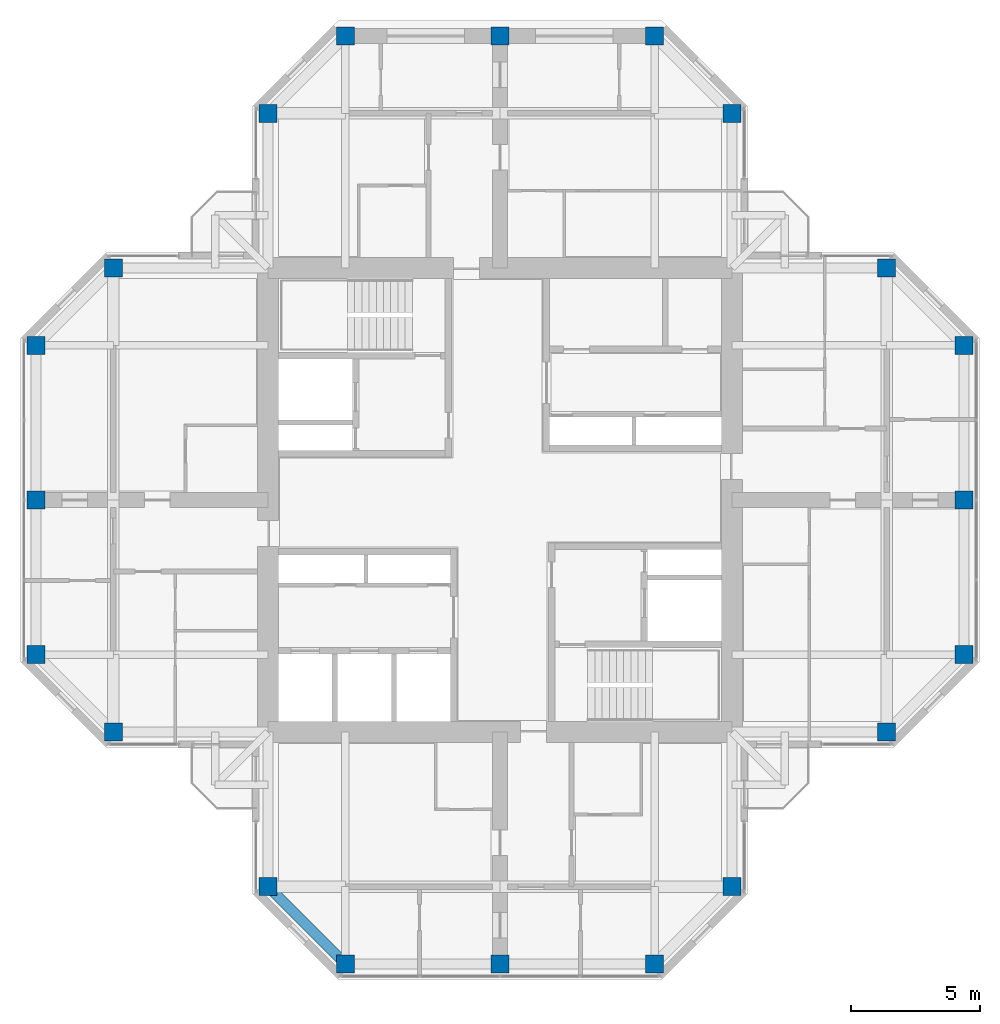
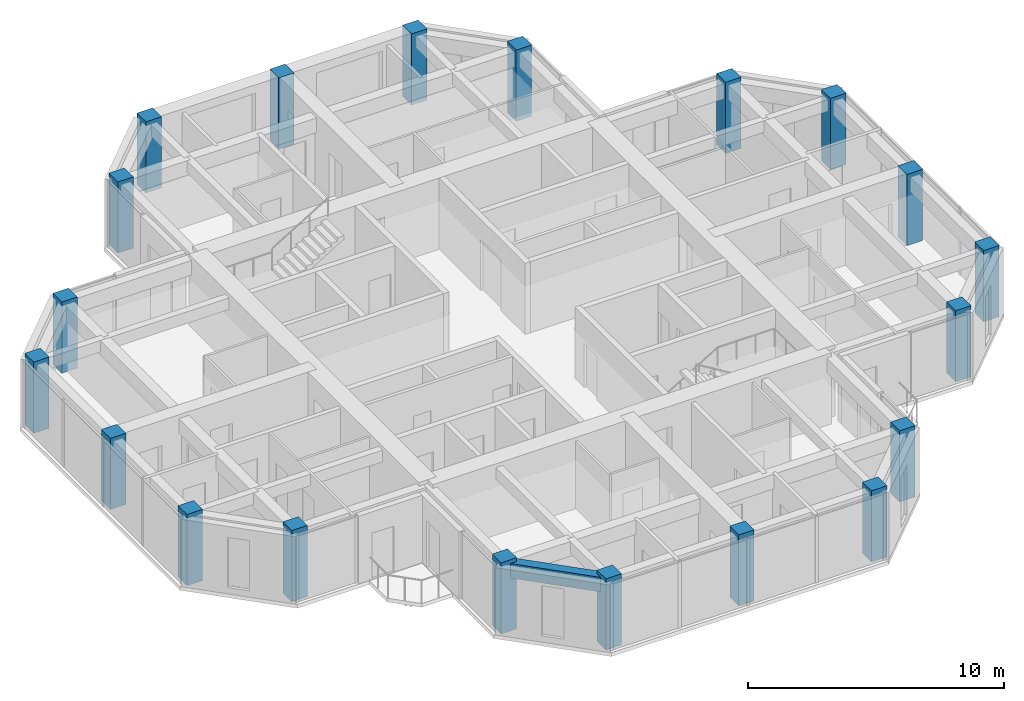
# One storey, part 1 of 13: 20 columns, 1 beam.
"""IFC4 building model written with IfcOpenShell, lengths in metres."""

from ifc_helpers import new_model, si_unit, direction, frame, origin, origin_2d, place, context, subcontext, project, spatial, rectangle, extrude, material, material_profile, profile_set, type_object, element, save


model = new_model("IFC4")

# Units and contexts
model_context = context("Model", 3, precision=1e-05, world=origin(), true_north=direction((0.0, 1.0)))
body_context = subcontext(model_context, "Body", "Model", "MODEL_VIEW")
ifc_project = project(units=[si_unit("LENGTHUNIT", "METRE"), si_unit("AREAUNIT", "SQUARE_METRE"), si_unit("VOLUMEUNIT", "CUBIC_METRE"), si_unit("PLANEANGLEUNIT", "RADIAN"), si_unit("MASSUNIT", "GRAM", prefix="KILO")], contexts=[model_context])

# Site, building, storey
site_placement = place(None, origin())
site = spatial("IfcSite", under=ifc_project, at=site_placement, CompositionType="ELEMENT")
building_placement = place(site_placement, origin())
building = spatial("IfcBuilding", under=site, at=building_placement, Name="Torre Cruceta", CompositionType="ELEMENT")
storey_placement = place(building_placement, frame((0.0, 0.0, 278.10009765625)))
storey = spatial("IfcBuildingStorey", under=building, at=storey_placement, Name="L72", CompositionType="ELEMENT", Elevation=278.10009765625)

# Columns
ifc_material_1 = material(Name="Concrete G60 (fck 60 MPa)", Category="concrete")
ifc_material_profile_1 = material_profile(ifc_material_1, rectangle(XDim=0.699951171875, YDim=0.699951171875, at=origin_2d()), Name="RC 700X700")
ifc_profile_set_1 = profile_set([ifc_material_profile_1], Name="Concrete G60 (fck 60 MPa)")
column_type = type_object("IfcColumnType", Name="COLUMN RC 700X700", PredefinedType="COLUMN", material=ifc_profile_set_1)
for number, where, z_axis, x_axis, name in (
    (1, (9.0, 15.0, 0.0), (0.0, 0.0, 1.0), (1.0, 0.0, 0.0), "C8 L72 N chamfer"),
    (2, (-9.0, 15.0, 0.0), (0.0, 0.0, 1.0), (1.0, 0.0, 0.0), "C8 L72 N chamfer"),
    (3, (6.0, 18.0, 0.0), (0.0, 0.0, 1.0), (1.0, 0.0, 0.0), "C8 L72 N tip"),
    (4, (0.0, 18.0, 0.0), (0.0, 0.0, 1.0), (1.0, 0.0, 0.0), "C8 L72 N tip"),
    (5, (-6.0, 18.0, 0.0), (0.0, 0.0, 1.0), (1.0, 0.0, 0.0), "C8 L72 N tip"),
    (6, (15.0, -9.0, 0.0), (0.0, 0.0, 1.0), (1.0, 0.0, 0.0), "C8 L72 E chamfer"),
    (7, (15.0, 9.0, 0.0), (0.0, 0.0, 1.0), (1.0, 0.0, 0.0), "C8 L72 E chamfer"),
    (8, (18.0, -6.0, 0.0), (0.0, 0.0, 1.0), (1.0, 0.0, 0.0), "C8 L72 E tip"),
    (9, (18.0, 0.0, 0.0), (0.0, 0.0, 1.0), (1.0, 0.0, 0.0), "C8 L72 E tip"),
    (10, (18.0, 6.0, 0.0), (0.0, 0.0, 1.0), (1.0, 0.0, 0.0), "C8 L72 E tip"),
    (11, (-9.0, -15.0, 0.0), (0.0, 0.0, 1.0), (1.0, 0.0, 0.0), "C8 L72 S chamfer"),
    (12, (9.0, -15.0, 0.0), (0.0, 0.0, 1.0), (1.0, 0.0, 0.0), "C8 L72 S chamfer"),
    (13, (-6.0, -18.0, 0.0), (0.0, 0.0, 1.0), (1.0, 0.0, 0.0), "C8 L72 S tip"),
    (14, (0.0, -18.0, 0.0), (0.0, 0.0, 1.0), (1.0, 0.0, 0.0), "C8 L72 S tip"),
    (15, (6.0, -18.0, 0.0), (0.0, 0.0, 1.0), (1.0, 0.0, 0.0), "C8 L72 S tip"),
    (16, (-15.0, 9.0, 0.0), (0.0, 0.0, 1.0), (1.0, 0.0, 0.0), "C8 L72 W chamfer"),
    (17, (-15.0, -9.0, 0.0), (0.0, 0.0, 1.0), (1.0, 0.0, 0.0), "C8 L72 W chamfer"),
    (18, (-18.0, 6.0, 0.0), (0.0, 0.0, 1.0), (1.0, 0.0, 0.0), "C8 L72 W tip"),
    (19, (-18.0, 0.0, 0.0), (0.0, 0.0, 1.0), (1.0, 0.0, 0.0), "C8 L72 W tip"),
    (20, (-18.0, -6.0, 0.0), (0.0, 0.0, 1.0), (1.0, 0.0, 0.0), "C8 L72 W tip"),
):
    element("IfcColumn", number, at=place(storey_placement, frame(where, z_axis=z_axis, x_axis=x_axis)), inside=storey, type_object=column_type, Name=name, PredefinedType="COLUMN", context=body_context, shape_type="SweptSolid", body=[
        extrude(rectangle(XDim=0.699951171875, YDim=0.699951171875, at=origin_2d()), origin(), (0.0, 0.0, 1.0), 3.39990234375),
    ])

# Beam
ifc_material_2 = material(Name="Concrete G60 (fck 60 MPa)", Category="concrete")
ifc_material_profile_2 = material_profile(ifc_material_2, rectangle(XDim=0.39990234375, YDim=0.699951171875, at=origin_2d()), Name="RC 400X700")
ifc_profile_set_2 = profile_set([ifc_material_profile_2], Name="Concrete G60 (fck 60 MPa)")
beam_type = type_object("IfcBeamType", Name="SPANDREL BEAM RC 400X700", PredefinedType="SPANDREL", material=ifc_profile_set_2)
beam_placement = place(storey_placement, frame((-9.0, -15.0, 2.869873046875), z_axis=(0.707106781187, -0.707106781187, 0.0), x_axis=(0.707106781187, 0.707106781187, 0.0)))
element("IfcBeam", 21, at=beam_placement, inside=storey, type_object=beam_type, Name="SB8 L72 S side- 2", PredefinedType="SPANDREL", context=body_context, shape_type="SweptSolid", body=[
    extrude(rectangle(XDim=0.39990234375, YDim=0.699951171875, at=origin_2d()), origin(), (0.0, 0.0, 1.0), 4.24267578125),
])

save(model, "model.ifc")
